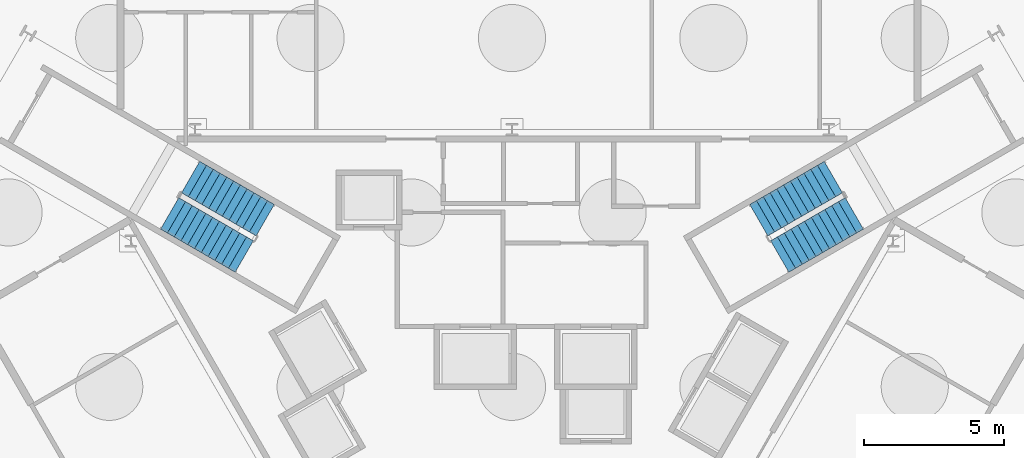
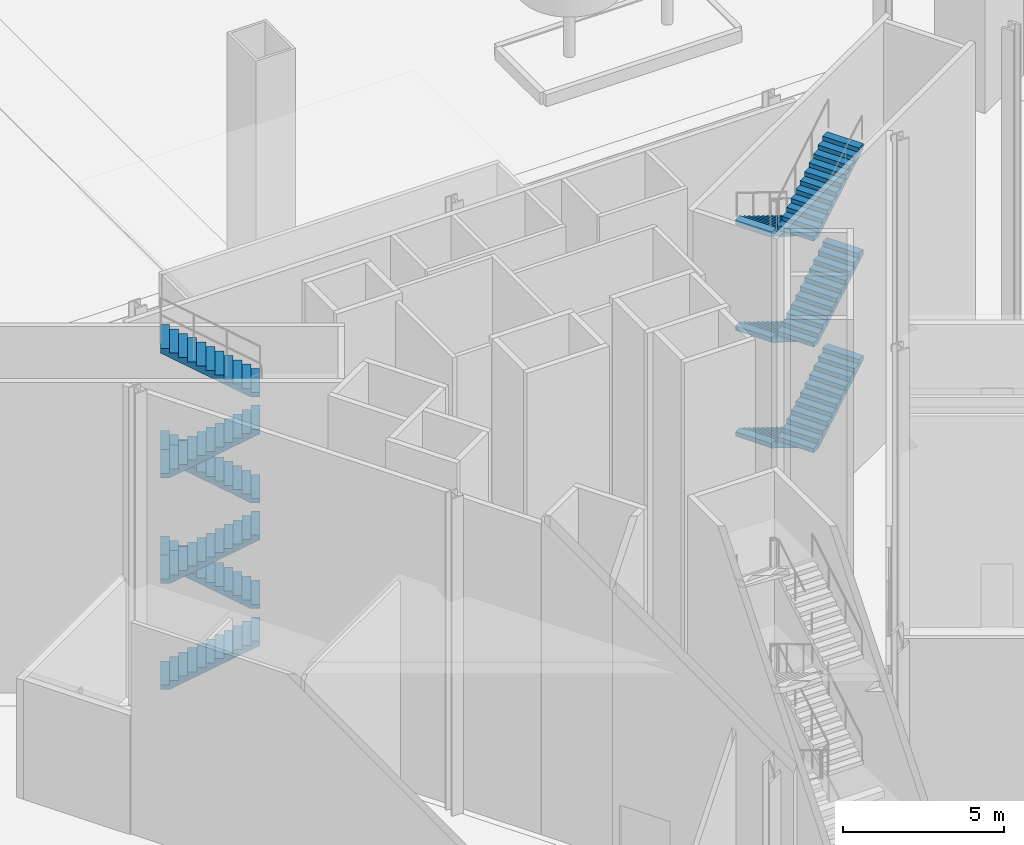
# One storey, part 13 of 22: 12 stair flights, 2 elements without a shape of their own.
"""IFC4 building model written with IfcOpenShell, lengths in metres."""

from ifc_helpers import new_model, si_unit, direction, frame, origin, place, context, subcontext, project, spatial, polyline, outline, extrude, material, type_object, element, aggregate, save


model = new_model("IFC4")

# Units and contexts
model_context = context("Model", 3, precision=1e-05, world=origin(), true_north=direction((0.0, 1.0)))
body_context = subcontext(model_context, "Body", "Model", "MODEL_VIEW")
ifc_project = project(units=[si_unit("LENGTHUNIT", "METRE"), si_unit("AREAUNIT", "SQUARE_METRE"), si_unit("VOLUMEUNIT", "CUBIC_METRE"), si_unit("PLANEANGLEUNIT", "RADIAN"), si_unit("MASSUNIT", "GRAM", prefix="KILO")], contexts=[model_context])

# Site, building, storey
site_placement = place(None, origin())
site = spatial("IfcSite", under=ifc_project, at=site_placement, CompositionType="ELEMENT")
building_placement = place(site_placement, origin())
building = spatial("IfcBuilding", under=site, at=building_placement, Name="Verrane Prism Tower", CompositionType="ELEMENT")
storey_placement = place(building_placement, origin())
storey = spatial("IfcBuildingStorey", under=building, at=storey_placement, Name="L00", CompositionType="ELEMENT", Elevation=0.0)

# Stair, stair flights
ifc_material_1 = material(Name="Concrete C40/50", Category="concrete")
stair_type = type_object("IfcStairType", Name="Exit stair 1300 dog-leg precast concrete C40/50", PredefinedType="HALF_TURN_STAIR", material=ifc_material_1)
stair_1_placement = place(storey_placement, origin())
stair_1 = element("IfcStair", 1, at=stair_1_placement, inside=storey, type_object=stair_type, Name="Stair 1 L00", PredefinedType="HALF_TURN_STAIR")
ifc_material_2 = material(Name="Concrete C40/50", Category="concrete")
stair_flight_type = type_object("IfcStairFlightType", Name="Stair flight 1300 precast concrete C40/50", PredefinedType="STRAIGHT", material=ifc_material_2)
stair_flight_1_placement = place(storey_placement, frame((11.489501953125, 7.49951171875, 0.0), z_axis=(0.0, 0.0, 1.0), x_axis=(-0.866025403784, -0.5, 0.0)))
stair_flight_1 = element("IfcStairFlight", 2, at=stair_flight_1_placement, type_object=stair_flight_type, Name="Stair 1 flight 1", NumberOfRisers=12, NumberOfTreads=11, PredefinedType="STRAIGHT", RiserHeight=0.166666667, TreadLength=0.28, context=body_context, shape_type="SweptSolid", body=[
    extrude(outline(polyline([(0.0, 0.0), (0.0, 0.166748046875), (0.280029296875, 0.166748046875), (0.280029296875, 0.333251953125), (0.56005859375, 0.333251953125), (0.56005859375, 0.5), (0.840087890625, 0.5), (0.840087890625, 0.666748046875), (1.1201171875, 0.666748046875), (1.1201171875, 0.833251953125), (1.39990234375, 0.833251953125), (1.39990234375, 1.0), (1.679931640625, 1.0), (1.679931640625, 1.166748046875), (1.9599609375, 1.166748046875), (1.9599609375, 1.333251953125), (2.239990234375, 1.333251953125), (2.239990234375, 1.5), (2.52001953125, 1.5), (2.52001953125, 1.666748046875), (2.800048828125, 1.666748046875), (2.800048828125, 1.833251953125), (3.080078125, 1.833251953125), (3.080078125, 2.0), (3.080078125, 1.658935546875), (0.29296875, 0.0), (0.0, 0.0)])), frame((0.0, 0.64990234375, 0.0), z_axis=(0.0, -1.0, 0.0), x_axis=(1.0, 0.0, 0.0)), (0.0, 0.0, 1.0), 1.300048828125),
])
stair_flight_2_placement = place(storey_placement, frame((9.572265625, 4.660400390625, 2.0), z_axis=(0.0, 0.0, 1.0), x_axis=(0.866025403784, 0.5, 0.0)))
stair_flight_2 = element("IfcStairFlight", 3, at=stair_flight_2_placement, type_object=stair_flight_type, Name="Stair 1 flight 2", NumberOfRisers=12, NumberOfTreads=11, PredefinedType="STRAIGHT", RiserHeight=0.166666667, TreadLength=0.28, context=body_context, shape_type="SweptSolid", body=[
    extrude(outline(polyline([(0.0, 0.0), (0.0, 0.166748046875), (0.280029296875, 0.166748046875), (0.280029296875, 0.333251953125), (0.56005859375, 0.333251953125), (0.56005859375, 0.5), (0.840087890625, 0.5), (0.840087890625, 0.666748046875), (1.1201171875, 0.666748046875), (1.1201171875, 0.833251953125), (1.39990234375, 0.833251953125), (1.39990234375, 1.0), (1.679931640625, 1.0), (1.679931640625, 1.166748046875), (1.9599609375, 1.166748046875), (1.9599609375, 1.333251953125), (2.239990234375, 1.333251953125), (2.239990234375, 1.5), (2.52001953125, 1.5), (2.52001953125, 1.666748046875), (2.800048828125, 1.666748046875), (2.800048828125, 1.833251953125), (3.080078125, 1.833251953125), (3.080078125, 2.0), (3.080078125, 1.658935546875), (0.29296875, 0.0), (0.0, 0.0)])), frame((0.0, 0.64990234375, 0.0), z_axis=(0.0, -1.0, 0.0), x_axis=(1.0, 0.0, 0.0)), (0.0, 0.0, 1.0), 1.300048828125),
])
stair_flight_3_placement = place(storey_placement, frame((11.489501953125, 7.49951171875, 4.0), z_axis=(0.0, 0.0, 1.0), x_axis=(-0.866025403784, -0.5, 0.0)))
stair_flight_3 = element("IfcStairFlight", 4, at=stair_flight_3_placement, type_object=stair_flight_type, Name="Stair 1 flight 3", NumberOfRisers=12, NumberOfTreads=11, PredefinedType="STRAIGHT", RiserHeight=0.166666667, TreadLength=0.28, context=body_context, shape_type="SweptSolid", body=[
    extrude(outline(polyline([(0.0, 0.0), (0.0, 0.166748046875), (0.280029296875, 0.166748046875), (0.280029296875, 0.333251953125), (0.56005859375, 0.333251953125), (0.56005859375, 0.5), (0.840087890625, 0.5), (0.840087890625, 0.666748046875), (1.1201171875, 0.666748046875), (1.1201171875, 0.833251953125), (1.39990234375, 0.833251953125), (1.39990234375, 1.0), (1.679931640625, 1.0), (1.679931640625, 1.166748046875), (1.9599609375, 1.166748046875), (1.9599609375, 1.333251953125), (2.239990234375, 1.333251953125), (2.239990234375, 1.5), (2.52001953125, 1.5), (2.52001953125, 1.666748046875), (2.800048828125, 1.666748046875), (2.800048828125, 1.833251953125), (3.080078125, 1.833251953125), (3.080078125, 2.0), (3.080078125, 1.658935546875), (0.29296875, 0.0), (0.0, 0.0)])), frame((0.0, 0.64990234375, 0.0), z_axis=(0.0, -1.0, 0.0), x_axis=(1.0, 0.0, 0.0)), (0.0, 0.0, 1.0), 1.300048828125),
])
stair_flight_4_placement = place(storey_placement, frame((9.572265625, 4.660400390625, 6.0), z_axis=(0.0, 0.0, 1.0), x_axis=(0.866025403784, 0.5, 0.0)))
stair_flight_4 = element("IfcStairFlight", 5, at=stair_flight_4_placement, type_object=stair_flight_type, Name="Stair 1 flight 4", NumberOfRisers=12, NumberOfTreads=11, PredefinedType="STRAIGHT", RiserHeight=0.166666667, TreadLength=0.28, context=body_context, shape_type="SweptSolid", body=[
    extrude(outline(polyline([(0.0, 0.0), (0.0, 0.166748046875), (0.280029296875, 0.166748046875), (0.280029296875, 0.333251953125), (0.56005859375, 0.333251953125), (0.56005859375, 0.5), (0.840087890625, 0.5), (0.840087890625, 0.666748046875), (1.1201171875, 0.666748046875), (1.1201171875, 0.833251953125), (1.39990234375, 0.833251953125), (1.39990234375, 1.0), (1.679931640625, 1.0), (1.679931640625, 1.166748046875), (1.9599609375, 1.166748046875), (1.9599609375, 1.333251953125), (2.239990234375, 1.333251953125), (2.239990234375, 1.5), (2.52001953125, 1.5), (2.52001953125, 1.666748046875), (2.800048828125, 1.666748046875), (2.800048828125, 1.833251953125), (3.080078125, 1.833251953125), (3.080078125, 2.0), (3.080078125, 1.658935546875), (0.29296875, 0.0), (0.0, 0.0)])), frame((0.0, 0.64990234375, 0.0), z_axis=(0.0, -1.0, 0.0), x_axis=(1.0, 0.0, 0.0)), (0.0, 0.0, 1.0), 1.300048828125),
])
stair_flight_5_placement = place(storey_placement, frame((11.489501953125, 7.49951171875, 8.0), z_axis=(0.0, 0.0, 1.0), x_axis=(-0.866025403784, -0.5, 0.0)))
stair_flight_5 = element("IfcStairFlight", 6, at=stair_flight_5_placement, type_object=stair_flight_type, Name="Stair 1 flight 5", NumberOfRisers=12, NumberOfTreads=11, PredefinedType="STRAIGHT", RiserHeight=0.166666667, TreadLength=0.28, context=body_context, shape_type="SweptSolid", body=[
    extrude(outline(polyline([(0.0, 0.0), (0.0, 0.166748046875), (0.280029296875, 0.166748046875), (0.280029296875, 0.333251953125), (0.56005859375, 0.333251953125), (0.56005859375, 0.5), (0.840087890625, 0.5), (0.840087890625, 0.666748046875), (1.1201171875, 0.666748046875), (1.1201171875, 0.833251953125), (1.39990234375, 0.833251953125), (1.39990234375, 1.0), (1.679931640625, 1.0), (1.679931640625, 1.166748046875), (1.9599609375, 1.166748046875), (1.9599609375, 1.333251953125), (2.239990234375, 1.333251953125), (2.239990234375, 1.5), (2.52001953125, 1.5), (2.52001953125, 1.666748046875), (2.800048828125, 1.666748046875), (2.800048828125, 1.833251953125), (3.080078125, 1.833251953125), (3.080078125, 2.0), (3.080078125, 1.658935546875), (0.29296875, 0.0), (0.0, 0.0)])), frame((0.0, 0.64990234375, 0.0), z_axis=(0.0, -1.0, 0.0), x_axis=(1.0, 0.0, 0.0)), (0.0, 0.0, 1.0), 1.300048828125),
])
stair_flight_6_placement = place(storey_placement, frame((9.572265625, 4.660400390625, 10.0), z_axis=(0.0, 0.0, 1.0), x_axis=(0.866025403784, 0.5, 0.0)))
stair_flight_6 = element("IfcStairFlight", 7, at=stair_flight_6_placement, type_object=stair_flight_type, Name="Stair 1 flight 6", NumberOfRisers=12, NumberOfTreads=11, PredefinedType="STRAIGHT", RiserHeight=0.166666667, TreadLength=0.28, context=body_context, shape_type="SweptSolid", body=[
    extrude(outline(polyline([(0.0, 0.0), (0.0, 0.166748046875), (0.280029296875, 0.166748046875), (0.280029296875, 0.333251953125), (0.56005859375, 0.333251953125), (0.56005859375, 0.5), (0.840087890625, 0.5), (0.840087890625, 0.666748046875), (1.1201171875, 0.666748046875), (1.1201171875, 0.833251953125), (1.39990234375, 0.833251953125), (1.39990234375, 1.0), (1.679931640625, 1.0), (1.679931640625, 1.166748046875), (1.9599609375, 1.166748046875), (1.9599609375, 1.333251953125), (2.239990234375, 1.333251953125), (2.239990234375, 1.5), (2.52001953125, 1.5), (2.52001953125, 1.666748046875), (2.800048828125, 1.666748046875), (2.800048828125, 1.833251953125), (3.080078125, 1.833251953125), (3.080078125, 2.0), (3.080078125, 1.658935546875), (0.29296875, 0.0), (0.0, 0.0)])), frame((0.0, 0.64990234375, 0.0), z_axis=(0.0, -1.0, 0.0), x_axis=(1.0, 0.0, 0.0)), (0.0, 0.0, 1.0), 1.300048828125),
])
aggregate(stair_1, [stair_flight_1, stair_flight_2, stair_flight_3, stair_flight_4, stair_flight_5, stair_flight_6])

stair_2_placement = place(storey_placement, origin())
stair_2 = element("IfcStair", 8, at=stair_2_placement, inside=storey, type_object=stair_type, Name="Stair 2 L00", PredefinedType="HALF_TURN_STAIR")
stair_flight_7_placement = place(storey_placement, frame((-12.239501953125, 6.200439453125, 0.0), z_axis=(0.0, 0.0, 1.0), x_axis=(0.866025403784, -0.5, 0.0)))
stair_flight_7 = element("IfcStairFlight", 9, at=stair_flight_7_placement, type_object=stair_flight_type, Name="Stair 2 flight 1", NumberOfRisers=12, NumberOfTreads=11, PredefinedType="STRAIGHT", RiserHeight=0.166666667, TreadLength=0.28, context=body_context, shape_type="SweptSolid", body=[
    extrude(outline(polyline([(0.0, 0.0), (0.0, 0.166748046875), (0.280029296875, 0.166748046875), (0.280029296875, 0.333251953125), (0.56005859375, 0.333251953125), (0.56005859375, 0.5), (0.840087890625, 0.5), (0.840087890625, 0.666748046875), (1.1201171875, 0.666748046875), (1.1201171875, 0.833251953125), (1.39990234375, 0.833251953125), (1.39990234375, 1.0), (1.679931640625, 1.0), (1.679931640625, 1.166748046875), (1.9599609375, 1.166748046875), (1.9599609375, 1.333251953125), (2.239990234375, 1.333251953125), (2.239990234375, 1.5), (2.52001953125, 1.5), (2.52001953125, 1.666748046875), (2.800048828125, 1.666748046875), (2.800048828125, 1.833251953125), (3.080078125, 1.833251953125), (3.080078125, 2.0), (3.080078125, 1.658935546875), (0.29296875, 0.0), (0.0, 0.0)])), frame((0.0, 0.64990234375, 0.0), z_axis=(0.0, -1.0, 0.0), x_axis=(1.0, 0.0, 0.0)), (0.0, 0.0, 1.0), 1.300048828125),
])
stair_flight_8_placement = place(storey_placement, frame((-8.822265625, 5.95947265625, 2.0), z_axis=(0.0, 0.0, 1.0), x_axis=(-0.866025403784, 0.5, 0.0)))
stair_flight_8 = element("IfcStairFlight", 10, at=stair_flight_8_placement, type_object=stair_flight_type, Name="Stair 2 flight 2", NumberOfRisers=12, NumberOfTreads=11, PredefinedType="STRAIGHT", RiserHeight=0.166666667, TreadLength=0.28, context=body_context, shape_type="SweptSolid", body=[
    extrude(outline(polyline([(0.0, 0.0), (0.0, 0.166748046875), (0.280029296875, 0.166748046875), (0.280029296875, 0.333251953125), (0.56005859375, 0.333251953125), (0.56005859375, 0.5), (0.840087890625, 0.5), (0.840087890625, 0.666748046875), (1.1201171875, 0.666748046875), (1.1201171875, 0.833251953125), (1.39990234375, 0.833251953125), (1.39990234375, 1.0), (1.679931640625, 1.0), (1.679931640625, 1.166748046875), (1.9599609375, 1.166748046875), (1.9599609375, 1.333251953125), (2.239990234375, 1.333251953125), (2.239990234375, 1.5), (2.52001953125, 1.5), (2.52001953125, 1.666748046875), (2.800048828125, 1.666748046875), (2.800048828125, 1.833251953125), (3.080078125, 1.833251953125), (3.080078125, 2.0), (3.080078125, 1.658935546875), (0.29296875, 0.0), (0.0, 0.0)])), frame((0.0, 0.64990234375, 0.0), z_axis=(0.0, -1.0, 0.0), x_axis=(1.0, 0.0, 0.0)), (0.0, 0.0, 1.0), 1.300048828125),
])
stair_flight_9_placement = place(storey_placement, frame((-12.239501953125, 6.200439453125, 4.0), z_axis=(0.0, 0.0, 1.0), x_axis=(0.866025403784, -0.5, 0.0)))
stair_flight_9 = element("IfcStairFlight", 11, at=stair_flight_9_placement, type_object=stair_flight_type, Name="Stair 2 flight 3", NumberOfRisers=12, NumberOfTreads=11, PredefinedType="STRAIGHT", RiserHeight=0.166666667, TreadLength=0.28, context=body_context, shape_type="SweptSolid", body=[
    extrude(outline(polyline([(0.0, 0.0), (0.0, 0.166748046875), (0.280029296875, 0.166748046875), (0.280029296875, 0.333251953125), (0.56005859375, 0.333251953125), (0.56005859375, 0.5), (0.840087890625, 0.5), (0.840087890625, 0.666748046875), (1.1201171875, 0.666748046875), (1.1201171875, 0.833251953125), (1.39990234375, 0.833251953125), (1.39990234375, 1.0), (1.679931640625, 1.0), (1.679931640625, 1.166748046875), (1.9599609375, 1.166748046875), (1.9599609375, 1.333251953125), (2.239990234375, 1.333251953125), (2.239990234375, 1.5), (2.52001953125, 1.5), (2.52001953125, 1.666748046875), (2.800048828125, 1.666748046875), (2.800048828125, 1.833251953125), (3.080078125, 1.833251953125), (3.080078125, 2.0), (3.080078125, 1.658935546875), (0.29296875, 0.0), (0.0, 0.0)])), frame((0.0, 0.64990234375, 0.0), z_axis=(0.0, -1.0, 0.0), x_axis=(1.0, 0.0, 0.0)), (0.0, 0.0, 1.0), 1.300048828125),
])
stair_flight_10_placement = place(storey_placement, frame((-8.822265625, 5.95947265625, 6.0), z_axis=(0.0, 0.0, 1.0), x_axis=(-0.866025403784, 0.5, 0.0)))
stair_flight_10 = element("IfcStairFlight", 12, at=stair_flight_10_placement, type_object=stair_flight_type, Name="Stair 2 flight 4", NumberOfRisers=12, NumberOfTreads=11, PredefinedType="STRAIGHT", RiserHeight=0.166666667, TreadLength=0.28, context=body_context, shape_type="SweptSolid", body=[
    extrude(outline(polyline([(0.0, 0.0), (0.0, 0.166748046875), (0.280029296875, 0.166748046875), (0.280029296875, 0.333251953125), (0.56005859375, 0.333251953125), (0.56005859375, 0.5), (0.840087890625, 0.5), (0.840087890625, 0.666748046875), (1.1201171875, 0.666748046875), (1.1201171875, 0.833251953125), (1.39990234375, 0.833251953125), (1.39990234375, 1.0), (1.679931640625, 1.0), (1.679931640625, 1.166748046875), (1.9599609375, 1.166748046875), (1.9599609375, 1.333251953125), (2.239990234375, 1.333251953125), (2.239990234375, 1.5), (2.52001953125, 1.5), (2.52001953125, 1.666748046875), (2.800048828125, 1.666748046875), (2.800048828125, 1.833251953125), (3.080078125, 1.833251953125), (3.080078125, 2.0), (3.080078125, 1.658935546875), (0.29296875, 0.0), (0.0, 0.0)])), frame((0.0, 0.64990234375, 0.0), z_axis=(0.0, -1.0, 0.0), x_axis=(1.0, 0.0, 0.0)), (0.0, 0.0, 1.0), 1.300048828125),
])
stair_flight_11_placement = place(storey_placement, frame((-12.239501953125, 6.200439453125, 8.0), z_axis=(0.0, 0.0, 1.0), x_axis=(0.866025403784, -0.5, 0.0)))
stair_flight_11 = element("IfcStairFlight", 13, at=stair_flight_11_placement, type_object=stair_flight_type, Name="Stair 2 flight 5", NumberOfRisers=12, NumberOfTreads=11, PredefinedType="STRAIGHT", RiserHeight=0.166666667, TreadLength=0.28, context=body_context, shape_type="SweptSolid", body=[
    extrude(outline(polyline([(0.0, 0.0), (0.0, 0.166748046875), (0.280029296875, 0.166748046875), (0.280029296875, 0.333251953125), (0.56005859375, 0.333251953125), (0.56005859375, 0.5), (0.840087890625, 0.5), (0.840087890625, 0.666748046875), (1.1201171875, 0.666748046875), (1.1201171875, 0.833251953125), (1.39990234375, 0.833251953125), (1.39990234375, 1.0), (1.679931640625, 1.0), (1.679931640625, 1.166748046875), (1.9599609375, 1.166748046875), (1.9599609375, 1.333251953125), (2.239990234375, 1.333251953125), (2.239990234375, 1.5), (2.52001953125, 1.5), (2.52001953125, 1.666748046875), (2.800048828125, 1.666748046875), (2.800048828125, 1.833251953125), (3.080078125, 1.833251953125), (3.080078125, 2.0), (3.080078125, 1.658935546875), (0.29296875, 0.0), (0.0, 0.0)])), frame((0.0, 0.64990234375, 0.0), z_axis=(0.0, -1.0, 0.0), x_axis=(1.0, 0.0, 0.0)), (0.0, 0.0, 1.0), 1.300048828125),
])
stair_flight_12_placement = place(storey_placement, frame((-8.822265625, 5.95947265625, 10.0), z_axis=(0.0, 0.0, 1.0), x_axis=(-0.866025403784, 0.5, 0.0)))
stair_flight_12 = element("IfcStairFlight", 14, at=stair_flight_12_placement, type_object=stair_flight_type, Name="Stair 2 flight 6", NumberOfRisers=12, NumberOfTreads=11, PredefinedType="STRAIGHT", RiserHeight=0.166666667, TreadLength=0.28, context=body_context, shape_type="SweptSolid", body=[
    extrude(outline(polyline([(0.0, 0.0), (0.0, 0.166748046875), (0.280029296875, 0.166748046875), (0.280029296875, 0.333251953125), (0.56005859375, 0.333251953125), (0.56005859375, 0.5), (0.840087890625, 0.5), (0.840087890625, 0.666748046875), (1.1201171875, 0.666748046875), (1.1201171875, 0.833251953125), (1.39990234375, 0.833251953125), (1.39990234375, 1.0), (1.679931640625, 1.0), (1.679931640625, 1.166748046875), (1.9599609375, 1.166748046875), (1.9599609375, 1.333251953125), (2.239990234375, 1.333251953125), (2.239990234375, 1.5), (2.52001953125, 1.5), (2.52001953125, 1.666748046875), (2.800048828125, 1.666748046875), (2.800048828125, 1.833251953125), (3.080078125, 1.833251953125), (3.080078125, 2.0), (3.080078125, 1.658935546875), (0.29296875, 0.0), (0.0, 0.0)])), frame((0.0, 0.64990234375, 0.0), z_axis=(0.0, -1.0, 0.0), x_axis=(1.0, 0.0, 0.0)), (0.0, 0.0, 1.0), 1.300048828125),
])
aggregate(stair_2, [stair_flight_7, stair_flight_8, stair_flight_9, stair_flight_10, stair_flight_11, stair_flight_12])

save(model, "model.ifc")
